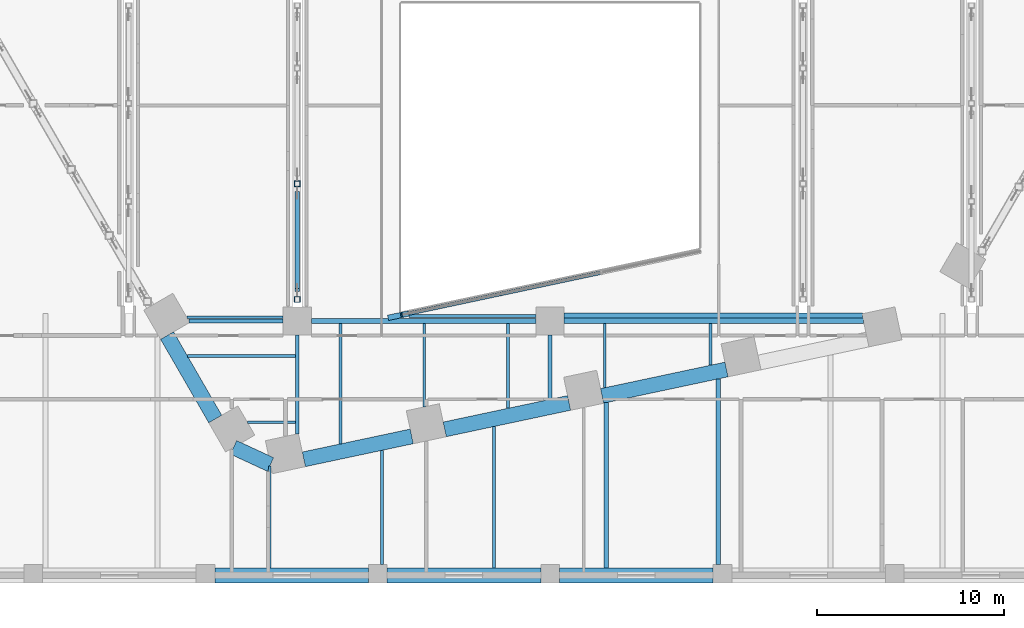
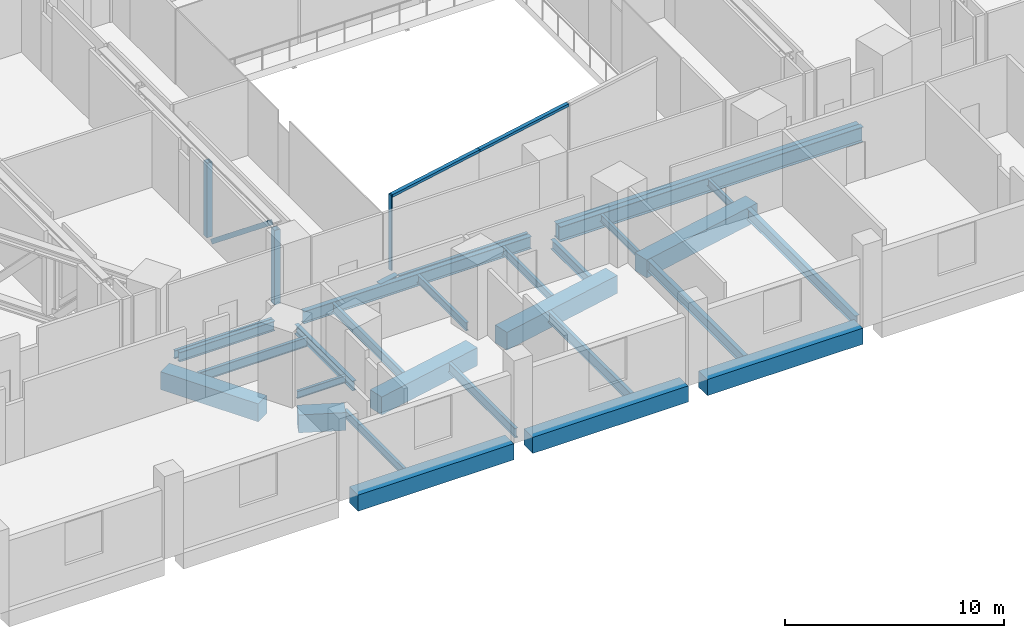
# One storey, part 3 of 32: 29 beams, 6 members, 1 element without a shape of its own.
"""IFC4 building model written with IfcOpenShell, lengths in metres."""

import ifcopenshell
import ifcopenshell.guid

model = None  # the IFC model being written
_history = None  # IfcOwnerHistory: only IFC2X3 demands one
_inside = {}  # id of a spatial element -> (the spatial element, [elements in it])
_under = {}  # id of a project, library or spatial element -> (it, [spatial elements below it])
_declared = {}  # id of a project -> (the project, [libraries it declares])
_typed = {}  # id of a type object -> (the type object, [elements of that type])
_made_of = {}  # id of a material, layer set ... -> (it, [elements and type objects made of it])


def new_model(schema):
    """Start an empty IFC model of exactly this schema.

    Asked for "IFC4X3", IfcOpenShell would pick the latest addendum, in which some entities
    have other attributes; the version numbers below select the first issue.
    IFC2X3 requires an IfcOwnerHistory on every rooted entity: one is made here for all.
    """
    global model, _history
    if schema == "IFC4X3":
        model = ifcopenshell.file(schema_version=(4, 3, 0, 0))
    else:
        model = ifcopenshell.file(schema=schema)
    _inside.clear()
    _under.clear()
    _declared.clear()
    _typed.clear()
    _made_of.clear()
    _history = None
    if model.schema == "IFC2X3":
        org = make("IfcOrganization", Name="unknown")
        user = make(
            "IfcPersonAndOrganization",
            ThePerson=make("IfcPerson", FamilyName="unknown"),
            TheOrganization=org,
        )
        app = make(
            "IfcApplication",
            ApplicationDeveloper=org,
            Version="unknown",
            ApplicationFullName="unknown",
            ApplicationIdentifier="unknown",
        )
        _history = make(
            "IfcOwnerHistory",
            OwningUser=user,
            OwningApplication=app,
            ChangeAction="ADDED",
            CreationDate=0,
        )
    return model


def make(cls, **values):
    """One entity of the class cls with the attributes given. An attribute that is None is left unset."""
    return model.create_entity(
        cls, **{name: value for name, value in values.items() if value is not None}
    )


def rooted(cls, **values):
    """An entity with a GlobalId (a new one), such as an element, a storey or a relation."""
    return make(cls, GlobalId=ifcopenshell.guid.new(), OwnerHistory=_history, **values)


def si_unit(unit_type, name, prefix=None):
    """IfcSIUnit, for example si_unit("LENGTHUNIT", "METRE", prefix="MILLI")."""
    return make("IfcSIUnit", UnitType=unit_type, Prefix=prefix, Name=name)


def assignment(units):
    """IfcUnitAssignment: the units of a project."""
    return None if units is None else make("IfcUnitAssignment", Units=units)


def point(xyz):
    """IfcCartesianPoint."""
    return None if xyz is None else make("IfcCartesianPoint", Coordinates=xyz)


def direction(xyz):
    """IfcDirection."""
    return None if xyz is None else make("IfcDirection", DirectionRatios=xyz)


def frame(location, z_axis=None, x_axis=None):
    """IfcAxis2Placement3D, a coordinate frame: its origin and axes. An axis left out is left unset."""
    return make(
        "IfcAxis2Placement3D",
        Location=point(location),
        Axis=direction(z_axis),
        RefDirection=direction(x_axis),
    )


def frame_2d(location, x_axis=None):
    """IfcAxis2Placement2D, a coordinate frame in the plane: its origin and x axis."""
    return make(
        "IfcAxis2Placement2D", Location=point(location), RefDirection=direction(x_axis)
    )


def origin():
    """The frame at (0, 0, 0) with its axes left unset."""
    return frame((0.0, 0.0, 0.0))


def origin_2d():
    """The frame at (0, 0) in the plane with its x axis left unset."""
    return frame_2d((0.0, 0.0))


def place(relative_to, where):
    """IfcLocalPlacement: puts the frame where relative to a parent placement (None: the world)."""
    return make(
        "IfcLocalPlacement", PlacementRelTo=relative_to, RelativePlacement=where
    )


def context(
    kind, dimensions, precision=None, world=None, true_north=None, identifier=None
):
    """IfcGeometricRepresentationContext, for example the 3D "Model" context."""
    return make(
        "IfcGeometricRepresentationContext",
        ContextIdentifier=identifier,
        ContextType=kind,
        CoordinateSpaceDimension=dimensions,
        Precision=precision,
        WorldCoordinateSystem=world,
        TrueNorth=true_north,
    )


def subcontext(parent, identifier, kind, view, scale=None):
    """IfcGeometricRepresentationSubContext, for example "Body" below "Model"."""
    return make(
        "IfcGeometricRepresentationSubContext",
        ContextIdentifier=identifier,
        ContextType=kind,
        ParentContext=parent,
        TargetScale=scale,
        TargetView=view,
    )


def project(units=None, contexts=None):
    """IfcProject with its units and contexts."""
    return rooted(
        "IfcProject",
        Name="project",
        RepresentationContexts=contexts,
        UnitsInContext=assignment(units),
    )


def spatial(cls, under=None, at=None, **own):
    """A site, building, storey or space (cls), placed at a placement, below another one or the project."""
    s = rooted(cls, ObjectPlacement=at, **own)
    if under is not None:
        _under.setdefault(under.id(), (under, []))[1].append(s)
    return s


def profile(cls, at=None, kind="AREA", **sizes):
    """A parametric profile (cls). Its sizes go by their IFC names, for example OverallWidth=200.0."""
    return make(cls, ProfileType=kind, Position=at, **sizes)


def rectangle(**sizes):
    """IfcRectangleProfileDef."""
    return profile("IfcRectangleProfileDef", **sizes)


def hollow_rectangle(**sizes):
    """IfcRectangleHollowProfileDef."""
    return profile("IfcRectangleHollowProfileDef", **sizes)


def i_section(**sizes):
    """IfcIShapeProfileDef."""
    return profile("IfcIShapeProfileDef", **sizes)


def extrude(swept, where, along, depth):
    """IfcExtrudedAreaSolid: the profile swept, set in the frame where, extruded along a direction by depth."""
    return make(
        "IfcExtrudedAreaSolid",
        SweptArea=swept,
        Position=where,
        ExtrudedDirection=direction(along),
        Depth=depth,
    )


def shape(context_of_items, identifier, shape_type, items):
    """IfcShapeRepresentation: the items that make up one representation, for example the "Body"."""
    return make(
        "IfcShapeRepresentation",
        ContextOfItems=context_of_items,
        RepresentationIdentifier=identifier,
        RepresentationType=shape_type,
        Items=items,
    )


def material(Name=None, Category=None):
    """IfcMaterial."""
    return make("IfcMaterial", Name=Name, Category=Category)


def layer(
    of_material, thickness, ventilated=None, Name=None, Category=None, Priority=None
):
    """IfcMaterialLayer: one layer of a wall or slab, of a material (None: an air gap)."""
    return make(
        "IfcMaterialLayer",
        Material=of_material,
        LayerThickness=thickness,
        IsVentilated=ventilated,
        Name=Name,
        Category=Category,
        Priority=Priority,
    )


def layer_set(layers, Name=None):
    """IfcMaterialLayerSet."""
    return make("IfcMaterialLayerSet", MaterialLayers=layers, LayerSetName=Name)


def material_profile(
    of_material, cross_section, Name=None, Category=None, Priority=None
):
    """IfcMaterialProfile: a cross section and its material."""
    return make(
        "IfcMaterialProfile",
        Name=Name,
        Material=of_material,
        Profile=cross_section,
        Priority=Priority,
        Category=Category,
    )


def profile_set(profiles, Name=None, composite=None):
    """IfcMaterialProfileSet."""
    return make(
        "IfcMaterialProfileSet",
        Name=Name,
        MaterialProfiles=profiles,
        CompositeProfile=composite,
    )


def made_of(thing, what):
    """Note that an element or type object is made of a material, layer set ...; save() writes the relation."""
    if what is not None:
        _made_of.setdefault(what.id(), (what, []))[1].append(thing)
    return thing


def type_object(cls, material=None, **own):
    """A type object (cls), such as IfcWallType, which elements share."""
    return made_of(rooted(cls, **own), material)


def element(
    cls,
    number,
    at=None,
    inside=None,
    cuts=None,
    type_object=None,
    material=None,
    context=None,
    identifier="Body",
    shape_type=None,
    held_by="IfcProductDefinitionShape",
    body=None,
    shapes=None,
    **own,
):
    """One element of the class cls, such as IfcWall. Its Tag is "e" and its number.

    at: its placement. inside: the storey or other place that contains it. cuts: it is an
    opening in that element (IfcRelVoidsElement). A single representation is given by context,
    identifier, shape_type and body (its items); several are given by shapes. held_by: the class
    of the entity that holds the representations. save() writes the other relations.
    """
    e = rooted(cls, Tag="e%d" % number, ObjectPlacement=at, **own)
    if body is not None:
        shapes = [shape(context, identifier, shape_type, body)]
    if shapes is not None:
        e.Representation = make(held_by, Representations=shapes)
    if inside is not None:
        _inside.setdefault(inside.id(), (inside, []))[1].append(e)
    if cuts is not None:
        rooted(
            "IfcRelVoidsElement", RelatingBuildingElement=cuts, RelatedOpeningElement=e
        )
    if type_object is not None:
        _typed.setdefault(type_object.id(), (type_object, []))[1].append(e)
    return made_of(e, material)


def aggregate(whole, parts):
    """IfcRelAggregates: a whole, such as a stair, and the parts it consists of."""
    return rooted("IfcRelAggregates", RelatingObject=whole, RelatedObjects=parts)


def save(model, path):
    """Write the relations noted so far, then the file.

    IfcRelAggregates (storeys below a building ...), IfcRelContainedInSpatialStructure (elements
    in a storey), IfcRelDefinesByType, IfcRelAssociatesMaterial and IfcRelDeclares: one each for
    every whole, place, type object, material and project.
    """
    for whole, parts in _under.values():
        aggregate(whole, parts)
    for where, things in _inside.values():
        rooted(
            "IfcRelContainedInSpatialStructure",
            RelatedElements=things,
            RelatingStructure=where,
        )
    for kind, things in _typed.values():
        rooted("IfcRelDefinesByType", RelatedObjects=things, RelatingType=kind)
    for what, things in _made_of.values():
        rooted("IfcRelAssociatesMaterial", RelatedObjects=things, RelatingMaterial=what)
    for by, libraries in _declared.values():
        rooted("IfcRelDeclares", RelatingContext=by, RelatedDefinitions=libraries)
    model.write(path)


model = new_model("IFC4")

# Units and contexts
model_context = context("Model", 3, precision=1e-05, world=origin(), true_north=direction((0.0, 1.0)))
body_context = subcontext(model_context, "Body", "Model", "MODEL_VIEW")
ifc_project = project(units=[si_unit("LENGTHUNIT", "METRE"), si_unit("AREAUNIT", "SQUARE_METRE"), si_unit("VOLUMEUNIT", "CUBIC_METRE"), si_unit("PLANEANGLEUNIT", "RADIAN"), si_unit("MASSUNIT", "GRAM", prefix="KILO")], contexts=[model_context])

# Site, building, storey
site_placement = place(None, origin())
site = spatial("IfcSite", under=ifc_project, at=site_placement, CompositionType="ELEMENT")
building_placement = place(site_placement, origin())
building = spatial("IfcBuilding", under=site, at=building_placement, Name="Isthmus Gate Tower", CompositionType="ELEMENT")
storey_placement = place(building_placement, frame((0.0, 0.0, 18.0)))
storey = spatial("IfcBuildingStorey", under=building, at=storey_placement, Name="L02", CompositionType="ELEMENT", Elevation=18.0)

# Curtain wall, members
ifc_material_1 = material(Name="Aluminium, pale champagne anodised", Category="aluminium")
ifc_layer = layer(ifc_material_1, 0.199951171875)
ifc_layer_set = layer_set([ifc_layer], Name="CW-4 ATRIUM CURTAIN WALL 200 DEEP")
curtain_wall_type = type_object("IfcCurtainWallType", Name="CW-4 ATRIUM CURTAIN WALL 200 DEEP", PredefinedType="NOTDEFINED", material=ifc_layer_set)
curtain_wall_placement = place(storey_placement, origin())
curtain_wall = element("IfcCurtainWall", 1, at=curtain_wall_placement, inside=storey, type_object=curtain_wall_type, Name="CW-4 atrium south L02", PredefinedType="NOTDEFINED")
ifc_material_2 = material(Name="Aluminium, pale champagne anodised", Category="aluminium")
ifc_material_profile_1 = material_profile(ifc_material_2, rectangle(XDim=0.080078125, YDim=0.199951171875, at=origin_2d()), Name="80x200")
ifc_profile_set_1 = profile_set([ifc_material_profile_1], Name="Aluminium, pale champagne anodised")
member_type_1 = type_object("IfcMemberType", Name="CW-4 MULLION 80 X 200", PredefinedType="MULLION", material=ifc_profile_set_1)
member_1_placement = place(storey_placement, frame((-7.9296875, -26.682373046875, 0.0), z_axis=(0.0, 0.0, 1.0), x_axis=(0.978147600734, 0.207911690818, 0.0)))
member_1 = element("IfcMember", 2, at=member_1_placement, type_object=member_type_1, Name="CW-4 mullion", PredefinedType="MULLION", context=body_context, shape_type="SweptSolid", body=[
    extrude(rectangle(XDim=0.080078125, YDim=0.199951171875, at=origin_2d()), origin(), (0.0, 0.0, 1.0), 4.199951171875),
])
ifc_material_3 = material(Name="Aluminium, pale champagne anodised", Category="aluminium")
ifc_material_profile_2 = material_profile(ifc_material_3, rectangle(XDim=0.199951171875, YDim=0.14990234375, at=origin_2d()), Name="200x150")
ifc_profile_set_2 = profile_set([ifc_material_profile_2], Name="Aluminium, pale champagne anodised")
member_type_2 = type_object("IfcMemberType", Name="CW-4 TRANSOM 200 X 150", PredefinedType="USERDEFINED", material=ifc_profile_set_2)
member_2_placement = place(storey_placement, frame((-7.890625, -26.674072265625, 4.125), z_axis=(0.978150188204, 0.207899517354, 0.0), x_axis=(-0.207899517354, 0.978150188204, 0.0)))
member_2 = element("IfcMember", 3, at=member_2_placement, type_object=member_type_2, Name="CW-4 transom", ObjectType="TRANSOM", PredefinedType="USERDEFINED", context=body_context, shape_type="SweptSolid", body=[
    extrude(rectangle(XDim=0.199951171875, YDim=0.14990234375, at=origin_2d()), origin(), (0.0, 0.0, 1.0), 5.37255859375),
])
member_3_placement = place(storey_placement, frame((-2.635498046875, -25.55712890625, 4.125), z_axis=(0.978150315113, 0.207898920259, 0.0), x_axis=(-0.207898920259, 0.978150315113, 0.0)))
member_3 = element("IfcMember", 4, at=member_3_placement, type_object=member_type_2, Name="CW-4 transom", ObjectType="TRANSOM", PredefinedType="USERDEFINED", context=body_context, shape_type="SweptSolid", body=[
    extrude(rectangle(XDim=0.199951171875, YDim=0.14990234375, at=origin_2d()), origin(), (0.0, 0.0, 1.0), 5.452392578125),
])
aggregate(curtain_wall, [member_1, member_2, member_3])

# Beams
ifc_material_4 = material(Name="Concrete f'c 70 MPa", Category="concrete")
ifc_material_profile_3 = material_profile(ifc_material_4, rectangle(XDim=0.800048828125, YDim=0.89990234375, at=origin_2d()), Name="RC 800X900")
ifc_profile_set_3 = profile_set([ifc_material_profile_3], Name="Concrete f'c 70 MPa")
beam_type_1 = type_object("IfcBeamType", Name="RC EDGE BEAM 800 X 900", PredefinedType="BEAM", material=ifc_profile_set_3)
for number, where, z_axis, x_axis, name in (
    (5, (8.699951171875, -40.60009765625, -0.85009765625), (-1.0, 0.0, 0.0), (0.0, -1.0, 0.0), "str-edgebeam-L02-32"),
    (6, (-0.5, -40.60009765625, -0.85009765625), (-1.0, 0.0, 0.0), (0.0, -1.0, 0.0), "str-edgebeam-L02-33"),
    (7, (-9.699951171875, -40.60009765625, -0.85009765625), (-1.0, 0.0, 0.0), (0.0, -1.0, 0.0), "str-edgebeam-L02-34"),
):
    element("IfcBeam", number, at=place(storey_placement, frame(where, z_axis=z_axis, x_axis=x_axis)), inside=storey, type_object=beam_type_1, Name=name, PredefinedType="BEAM", context=body_context, shape_type="SweptSolid", body=[
        extrude(rectangle(XDim=0.800048828125, YDim=0.89990234375, at=origin_2d()), origin(), (0.0, 0.0, 1.0), 8.199951171875),
    ])
ifc_material_5 = material(Name="Concrete f'c 70 MPa", Category="concrete")
ifc_material_profile_4 = material_profile(ifc_material_5, rectangle(XDim=0.800048828125, YDim=1.0, at=origin_2d()), Name="RC 800X1000")
ifc_profile_set_4 = profile_set([ifc_material_profile_4], Name="Concrete f'c 70 MPa")
beam_type_2 = type_object("IfcBeamType", Name="RC TUBE RING BEAM 800 X 1000", PredefinedType="BEAM", material=ifc_profile_set_4)
for number, where, z_axis, x_axis, name in (
    (8, (9.415771484375, -29.589599609375, -0.89990234375), (-0.978145779981, -0.207920256603, 0.0), (0.207920256603, -0.978145779981, 0.0), "str-ringbeam-L02-09"),
    (9, (1.01416015625, -31.37548828125, -0.89990234375), (-0.978145779981, -0.207920256603, 0.0), (0.207920256603, -0.978145779981, 0.0), "str-ringbeam-L02-10"),
):
    element("IfcBeam", number, at=place(storey_placement, frame(where, z_axis=z_axis, x_axis=x_axis)), inside=storey, type_object=beam_type_2, Name=name, PredefinedType="BEAM", context=body_context, shape_type="SweptSolid", body=[
        extrude(rectangle(XDim=0.800048828125, YDim=1.0, at=origin_2d()), origin(), (0.0, 0.0, 1.0), 6.789306640625),
    ])
beam_1_placement = place(storey_placement, frame((-7.387451171875, -33.161376953125, -0.89990234375), z_axis=(-0.978149894464, -0.207900899374, 0.0), x_axis=(0.207900899374, -0.978149894464, 0.0)))
element("IfcBeam", 10, at=beam_1_placement, inside=storey, type_object=beam_type_2, Name="str-ringbeam-L02-11", PredefinedType="BEAM", context=body_context, shape_type="SweptSolid", body=[
    extrude(rectangle(XDim=0.800048828125, YDim=1.0, at=origin_2d()), origin(), (0.0, 0.0, 1.0), 5.88916015625),
])
beam_2_placement = place(storey_placement, frame((-14.929443359375, -34.662109375, -0.89990234375), z_axis=(-0.907290744498, 0.420503870314, 0.0), x_axis=(-0.420503870314, -0.907290744498, 0.0)))
element("IfcBeam", 11, at=beam_2_placement, inside=storey, type_object=beam_type_2, Name="str-ringbeam-L02-12", PredefinedType="BEAM", context=body_context, shape_type="SweptSolid", body=[
    extrude(rectangle(XDim=0.800048828125, YDim=1.0, at=origin_2d()), origin(), (0.0, 0.0, 1.0), 2.173095703125),
])
beam_3_placement = place(storey_placement, frame((-17.878173828125, -32.23388671875, -0.89990234375), z_axis=(-0.500044296292, 0.865999827798, 0.0), x_axis=(-0.865999827798, -0.500044296292, 0.0)))
element("IfcBeam", 12, at=beam_3_placement, inside=storey, type_object=beam_type_2, Name="str-ringbeam-L02-13", PredefinedType="BEAM", context=body_context, shape_type="SweptSolid", body=[
    extrude(rectangle(XDim=0.800048828125, YDim=1.0, at=origin_2d()), origin(), (0.0, 0.0, 1.0), 5.1435546875),
])
ifc_material_6 = material(Name="Structural steel ASTM A992 Gr 50", Category="steel")
ifc_material_profile_5 = material_profile(ifc_material_6, i_section(OverallWidth=0.1396484375, OverallDepth=0.4033203125, WebThickness=0.00634765625, FlangeThickness=0.010986328125, at=origin_2d()), Name="W16X31")
ifc_profile_set_5 = profile_set([ifc_material_profile_5], Name="Structural steel ASTM A992 Gr 50")
beam_type_3 = type_object("IfcBeamType", Name="STEEL FLOOR BEAM W16X31", PredefinedType="JOIST", material=ifc_profile_set_5)
beam_4_placement = place(storey_placement, frame((-16.162353515625, -32.406005859375, -0.6015625), z_axis=(1.0, 0.0, 0.0), x_axis=(0.0, 1.0, 0.0)))
element("IfcBeam", 13, at=beam_4_placement, inside=storey, type_object=beam_type_3, Name="str-beam-L02-11-00", PredefinedType="JOIST", context=body_context, shape_type="SweptSolid", body=[
    extrude(i_section(OverallWidth=0.1396484375, OverallDepth=0.4033203125, WebThickness=0.00634765625, FlangeThickness=0.010986328125, at=origin_2d()), origin(), (0.0, 0.0, 1.0), 2.5576171875),
])
beam_5_placement = place(storey_placement, frame((2.924072265625, -30.560546875, -0.6015625), z_axis=(0.0, 1.0, 0.0), x_axis=(-1.0, 0.0, 0.0)))
element("IfcBeam", 14, at=beam_5_placement, inside=storey, type_object=beam_type_3, Name="str-beam-L02-20-00", PredefinedType="JOIST", context=body_context, shape_type="SweptSolid", body=[
    extrude(i_section(OverallWidth=0.1396484375, OverallDepth=0.4033203125, WebThickness=0.00634765625, FlangeThickness=0.010986328125, at=origin_2d()), origin(), (0.0, 0.0, 1.0), 3.41455078125),
])
beam_6_placement = place(storey_placement, frame((8.5625, -29.362060546875, -0.6015625), z_axis=(0.0, 1.0, 0.0), x_axis=(-1.0, 0.0, 0.0)))
element("IfcBeam", 15, at=beam_6_placement, inside=storey, type_object=beam_type_3, Name="str-beam-L02-20-01", PredefinedType="JOIST", context=body_context, shape_type="SweptSolid", body=[
    extrude(i_section(OverallWidth=0.1396484375, OverallDepth=0.4033203125, WebThickness=0.00634765625, FlangeThickness=0.010986328125, at=origin_2d()), origin(), (0.0, 0.0, 1.0), 2.216064453125),
])
ifc_material_7 = material(Name="Structural steel ASTM A992 Gr 50", Category="steel")
ifc_material_profile_6 = material_profile(ifc_material_7, i_section(OverallWidth=0.15234375, OverallDepth=0.45068359375, WebThickness=0.0078125, FlangeThickness=0.010986328125, at=origin_2d()), Name="W18X35")
ifc_profile_set_6 = profile_set([ifc_material_profile_6], Name="Structural steel ASTM A992 Gr 50")
beam_type_4 = type_object("IfcBeamType", Name="STEEL FLOOR BEAM W18X35", PredefinedType="JOIST", material=ifc_profile_set_6)
beam_7_placement = place(storey_placement, frame((-19.39892578125, -26.800048828125, -0.62548828125), z_axis=(1.0, 0.0, 0.0), x_axis=(0.0, 1.0, 0.0)))
element("IfcBeam", 16, at=beam_7_placement, inside=storey, type_object=beam_type_4, Name="str-beam-L02-10-00", PredefinedType="JOIST", context=body_context, shape_type="SweptSolid", body=[
    extrude(i_section(OverallWidth=0.15234375, OverallDepth=0.45068359375, WebThickness=0.0078125, FlangeThickness=0.010986328125, at=origin_2d()), origin(), (0.0, 0.0, 1.0), 5.14892578125),
])
beam_8_placement = place(storey_placement, frame((-6.71826171875, -31.587890625, -0.62548828125), z_axis=(0.0, 1.0, 0.0), x_axis=(-1.0, 0.0, 0.0)))
element("IfcBeam", 17, at=beam_8_placement, inside=storey, type_object=beam_type_4, Name="str-beam-L02-13-01", PredefinedType="JOIST", context=body_context, shape_type="SweptSolid", body=[
    extrude(i_section(OverallWidth=0.15234375, OverallDepth=0.45068359375, WebThickness=0.0078125, FlangeThickness=0.010986328125, at=origin_2d()), origin(), (0.0, 0.0, 1.0), 4.4609375),
])
beam_9_placement = place(storey_placement, frame((-2.239501953125, -31.658203125, -0.62548828125), z_axis=(0.0, 1.0, 0.0), x_axis=(-1.0, 0.0, 0.0)))
element("IfcBeam", 18, at=beam_9_placement, inside=storey, type_object=beam_type_4, Name="str-beam-L02-13-02", PredefinedType="JOIST", context=body_context, shape_type="SweptSolid", body=[
    extrude(i_section(OverallWidth=0.15234375, OverallDepth=0.45068359375, WebThickness=0.0078125, FlangeThickness=0.010986328125, at=origin_2d()), origin(), (0.0, 0.0, 1.0), 4.53125),
])
beam_10_placement = place(storey_placement, frame((-14.96728515625, -40.199951171875, -0.62548828125), z_axis=(0.0, 1.0, 0.0), x_axis=(-1.0, 0.0, 0.0)))
element("IfcBeam", 19, at=beam_10_placement, inside=storey, type_object=beam_type_4, Name="str-beam-L02-19-05", PredefinedType="JOIST", context=body_context, shape_type="SweptSolid", body=[
    extrude(i_section(OverallWidth=0.15234375, OverallDepth=0.45068359375, WebThickness=0.0078125, FlangeThickness=0.010986328125, at=origin_2d()), origin(), (0.0, 0.0, 1.0), 5.456298828125),
])
ifc_material_8 = material(Name="Structural steel ASTM A992 Gr 50", Category="steel")
ifc_material_profile_7 = material_profile(ifc_material_8, i_section(OverallWidth=0.1650390625, OverallDepth=0.52392578125, WebThickness=0.009521484375, FlangeThickness=0.010986328125, at=origin_2d()), Name="W21X44")
ifc_profile_set_7 = profile_set([ifc_material_profile_7], Name="Structural steel ASTM A992 Gr 50")
beam_type_5 = type_object("IfcBeamType", Name="STEEL FLOOR BEAM W21X44", PredefinedType="JOIST", material=ifc_profile_set_7)
beam_11_placement = place(storey_placement, frame((-19.357421875, -28.871826171875, -0.661865234375), z_axis=(1.0, 0.0, 0.0), x_axis=(0.0, 1.0, 0.0)))
element("IfcBeam", 20, at=beam_11_placement, inside=storey, type_object=beam_type_5, Name="str-beam-L02-11-01", PredefinedType="JOIST", context=body_context, shape_type="SweptSolid", body=[
    extrude(i_section(OverallWidth=0.1650390625, OverallDepth=0.52392578125, WebThickness=0.009521484375, FlangeThickness=0.010986328125, at=origin_2d()), origin(), (0.0, 0.0, 1.0), 5.752685546875),
])
beam_12_placement = place(storey_placement, frame((-11.197021484375, -33.56201171875, -0.661865234375), z_axis=(0.0, 1.0, 0.0), x_axis=(-1.0, 0.0, 0.0)))
element("IfcBeam", 21, at=beam_12_placement, inside=storey, type_object=beam_type_5, Name="str-beam-L02-13-00", PredefinedType="JOIST", context=body_context, shape_type="SweptSolid", body=[
    extrude(i_section(OverallWidth=0.1650390625, OverallDepth=0.52392578125, WebThickness=0.009521484375, FlangeThickness=0.010986328125, at=origin_2d()), origin(), (0.0, 0.0, 1.0), 6.43505859375),
])
beam_13_placement = place(storey_placement, frame((-7.53173828125, -26.736572265625, -0.661865234375), z_axis=(1.0, 0.0, 0.0), x_axis=(0.0, 1.0, 0.0)))
element("IfcBeam", 22, at=beam_13_placement, inside=storey, type_object=beam_type_5, Name="str-beam-L02-16-00", PredefinedType="JOIST", context=body_context, shape_type="SweptSolid", body=[
    extrude(i_section(OverallWidth=0.1650390625, OverallDepth=0.52392578125, WebThickness=0.009521484375, FlangeThickness=0.010986328125, at=origin_2d()), origin(), (0.0, 0.0, 1.0), 6.78173828125),
])
beam_14_placement = place(storey_placement, frame((-8.98046875, -40.0, -0.661865234375), z_axis=(0.0, 1.0, 0.0), x_axis=(-1.0, 0.0, 0.0)))
element("IfcBeam", 23, at=beam_14_placement, inside=storey, type_object=beam_type_5, Name="str-beam-L02-19-06", PredefinedType="JOIST", context=body_context, shape_type="SweptSolid", body=[
    extrude(i_section(OverallWidth=0.1650390625, OverallDepth=0.52392578125, WebThickness=0.009521484375, FlangeThickness=0.010986328125, at=origin_2d()), origin(), (0.0, 0.0, 1.0), 6.091064453125),
])
ifc_material_9 = material(Name="Structural steel ASTM A992 Gr 50", Category="steel")
ifc_material_profile_8 = material_profile(ifc_material_9, i_section(OverallWidth=0.177734375, OverallDepth=0.60009765625, WebThickness=0.009521484375, FlangeThickness=0.0126953125, at=origin_2d()), Name="W24X55")
ifc_profile_set_8 = profile_set([ifc_material_profile_8], Name="Structural steel ASTM A992 Gr 50")
beam_type_6 = type_object("IfcBeamType", Name="STEEL FLOOR BEAM W24X55", PredefinedType="JOIST", material=ifc_profile_set_8)
beam_15_placement = place(storey_placement, frame((-2.993408203125, -40.199951171875, -0.699951171875), z_axis=(0.0, 1.0, 0.0), x_axis=(-1.0, 0.0, 0.0)))
element("IfcBeam", 24, at=beam_15_placement, inside=storey, type_object=beam_type_6, Name="str-beam-L02-19-07", PredefinedType="JOIST", context=body_context, shape_type="SweptSolid", body=[
    extrude(i_section(OverallWidth=0.177734375, OverallDepth=0.60009765625, WebThickness=0.009521484375, FlangeThickness=0.0126953125, at=origin_2d()), origin(), (0.0, 0.0, 1.0), 7.563720703125),
])
ifc_material_10 = material(Name="Structural steel ASTM A992 Gr 50", Category="steel")
ifc_material_profile_9 = material_profile(ifc_material_10, i_section(OverallWidth=0.228515625, OverallDepth=0.603271484375, WebThickness=0.010986328125, FlangeThickness=0.014404296875, at=origin_2d()), Name="W24X68")
ifc_profile_set_9 = profile_set([ifc_material_profile_9], Name="Structural steel ASTM A992 Gr 50")
beam_type_7 = type_object("IfcBeamType", Name="STEEL FLOOR BEAM W24X68", PredefinedType="JOIST", material=ifc_profile_set_9)
beam_16_placement = place(storey_placement, frame((2.993408203125, -40.199951171875, -0.70166015625), z_axis=(0.0, 1.0, 0.0), x_axis=(-1.0, 0.0, 0.0)))
element("IfcBeam", 25, at=beam_16_placement, inside=storey, type_object=beam_type_7, Name="str-beam-L02-19-08", PredefinedType="JOIST", context=body_context, shape_type="SweptSolid", body=[
    extrude(i_section(OverallWidth=0.228515625, OverallDepth=0.603271484375, WebThickness=0.010986328125, FlangeThickness=0.014404296875, at=origin_2d()), origin(), (0.0, 0.0, 1.0), 8.836181640625),
])
beam_17_placement = place(storey_placement, frame((8.98046875, -40.0, -0.70166015625), z_axis=(0.0, 1.0, 0.0), x_axis=(-1.0, 0.0, 0.0)))
element("IfcBeam", 26, at=beam_17_placement, inside=storey, type_object=beam_type_7, Name="str-beam-L02-19-09", PredefinedType="JOIST", context=body_context, shape_type="SweptSolid", body=[
    extrude(i_section(OverallWidth=0.228515625, OverallDepth=0.603271484375, WebThickness=0.010986328125, FlangeThickness=0.014404296875, at=origin_2d()), origin(), (0.0, 0.0, 1.0), 9.908935546875),
])
ifc_material_11 = material(Name="Structural steel ASTM A992 Gr 50", Category="steel")
ifc_material_profile_10 = material_profile(ifc_material_11, i_section(OverallWidth=0.2919921875, OverallDepth=0.8349609375, WebThickness=0.014404296875, FlangeThickness=0.01904296875, at=origin_2d()), Name="W33X118")
ifc_profile_set_10 = profile_set([ifc_material_profile_10], Name="Structural steel ASTM A992 Gr 50")
beam_type_8 = type_object("IfcBeamType", Name="STEEL FLOOR BEAM W33X118", PredefinedType="JOIST", material=ifc_profile_set_10)
beam_18_placement = place(storey_placement, frame((0.75, -26.72705078125, -0.8173828125), z_axis=(1.0, 0.0, 0.0), x_axis=(0.0, 1.0, 0.0)))
element("IfcBeam", 27, at=beam_18_placement, inside=storey, type_object=beam_type_8, Name="str-beam-L02-23-00", PredefinedType="JOIST", context=body_context, shape_type="SweptSolid", body=[
    extrude(i_section(OverallWidth=0.2919921875, OverallDepth=0.8349609375, WebThickness=0.014404296875, FlangeThickness=0.01904296875, at=origin_2d()), origin(), (0.0, 0.0, 1.0), 15.91845703125),
])
ifc_material_12 = material(Name="Structural steel ASTM A992 Gr 50", Category="steel")
ifc_material_profile_11 = material_profile(ifc_material_12, i_section(OverallWidth=0.20947265625, OverallDepth=0.533447265625, WebThickness=0.009521484375, FlangeThickness=0.015869140625, at=origin_2d()), Name="W21X62")
ifc_profile_set_11 = profile_set([ifc_material_profile_11], Name="Structural steel ASTM A992 Gr 50")
beam_type_9 = type_object("IfcBeamType", Name="STEEL GIRDER W21X62", PredefinedType="BEAM", material=ifc_profile_set_11)
beam_19_placement = place(storey_placement, frame((-19.283447265625, -27.0, -0.666748046875), z_axis=(1.0, 0.0, 0.0), x_axis=(0.0, 1.0, 0.0)))
element("IfcBeam", 28, at=beam_19_placement, inside=storey, type_object=beam_type_9, Name="str-girder-L02-01", PredefinedType="BEAM", context=body_context, shape_type="SweptSolid", body=[
    extrude(i_section(OverallWidth=0.20947265625, OverallDepth=0.533447265625, WebThickness=0.009521484375, FlangeThickness=0.015869140625, at=origin_2d()), origin(), (0.0, 0.0, 1.0), 5.033447265625),
])
beam_20_placement = place(storey_placement, frame((-13.5, -33.029296875, -0.666748046875), z_axis=(0.0, 1.0, 0.0), x_axis=(-1.0, 0.0, 0.0)))
element("IfcBeam", 29, at=beam_20_placement, inside=storey, type_object=beam_type_9, Name="str-girder-L02-18", PredefinedType="BEAM", context=body_context, shape_type="SweptSolid", body=[
    extrude(i_section(OverallWidth=0.20947265625, OverallDepth=0.533447265625, WebThickness=0.009521484375, FlangeThickness=0.015869140625, at=origin_2d()), origin(), (0.0, 0.0, 1.0), 5.279296875),
])
beam_21_placement = place(storey_placement, frame((0.0, -31.18212890625, -0.666748046875), z_axis=(0.0, 1.0, 0.0), x_axis=(-1.0, 0.0, 0.0)))
element("IfcBeam", 30, at=beam_21_placement, inside=storey, type_object=beam_type_9, Name="str-girder-L02-21", PredefinedType="BEAM", context=body_context, shape_type="SweptSolid", body=[
    extrude(i_section(OverallWidth=0.20947265625, OverallDepth=0.533447265625, WebThickness=0.009521484375, FlangeThickness=0.015869140625, at=origin_2d()), origin(), (0.0, 0.0, 1.0), 3.43212890625),
])
ifc_material_13 = material(Name="Structural steel ASTM A992 Gr 50", Category="steel")
ifc_material_profile_12 = material_profile(ifc_material_13, i_section(OverallWidth=0.25390625, OverallDepth=0.679443359375, WebThickness=0.010986328125, FlangeThickness=0.015869140625, at=origin_2d()), Name="W27X84")
ifc_profile_set_12 = profile_set([ifc_material_profile_12], Name="Structural steel ASTM A992 Gr 50")
beam_type_10 = type_object("IfcBeamType", Name="STEEL GIRDER W27X84", PredefinedType="BEAM", material=ifc_profile_set_12)
beam_22_placement = place(storey_placement, frame((-12.75, -27.0, -0.73974609375), z_axis=(1.0, 0.0, 0.0), x_axis=(0.0, 1.0, 0.0)))
element("IfcBeam", 31, at=beam_22_placement, inside=storey, type_object=beam_type_10, Name="str-girder-L02-02", PredefinedType="BEAM", context=body_context, shape_type="SweptSolid", body=[
    extrude(i_section(OverallWidth=0.25390625, OverallDepth=0.679443359375, WebThickness=0.010986328125, FlangeThickness=0.015869140625, at=origin_2d()), origin(), (0.0, 0.0, 1.0), 12.0),
])
ifc_material_14 = material(Name="Structural steel ASTM A992 Gr 50", Category="steel")
ifc_material_profile_13 = material_profile(ifc_material_14, i_section(OverallWidth=0.2919921875, OverallDepth=0.8349609375, WebThickness=0.014404296875, FlangeThickness=0.01904296875, at=origin_2d()), Name="W33X118")
ifc_profile_set_13 = profile_set([ifc_material_profile_13], Name="Structural steel ASTM A992 Gr 50")
beam_type_11 = type_object("IfcBeamType", Name="STEEL GIRDER W33X118", PredefinedType="BEAM", material=ifc_profile_set_13)
beam_23_placement = place(storey_placement, frame((0.75, -27.0, -0.8173828125), z_axis=(1.0, 0.0, 0.0), x_axis=(0.0, 1.0, 0.0)))
element("IfcBeam", 32, at=beam_23_placement, inside=storey, type_object=beam_type_11, Name="str-girder-L02-03", PredefinedType="BEAM", context=body_context, shape_type="SweptSolid", body=[
    extrude(i_section(OverallWidth=0.2919921875, OverallDepth=0.8349609375, WebThickness=0.014404296875, FlangeThickness=0.01904296875, at=origin_2d()), origin(), (0.0, 0.0, 1.0), 15.9765625),
])
ifc_material_15 = material(Name="Structural steel ASTM A992 Gr 50", Category="steel")
ifc_material_profile_14 = material_profile(ifc_material_15, i_section(OverallWidth=0.2919921875, OverallDepth=0.8349609375, WebThickness=0.014404296875, FlangeThickness=0.01904296875, at=origin_2d()), Name="W33X118")
ifc_profile_set_14 = profile_set([ifc_material_profile_14], Name="Structural steel ASTM A992 Gr 50")
beam_type_12 = type_object("IfcBeamType", Name="STEEL TRIMMER W33X118", PredefinedType="BEAM", material=ifc_profile_set_14)
beam_24_placement = place(storey_placement, frame((-8.654296875, -26.83251953125, -0.8173828125), z_axis=(0.9781494145, 0.207903157536, 0.0), x_axis=(-0.207903157536, 0.9781494145, 0.0)))
element("IfcBeam", 33, at=beam_24_placement, inside=storey, type_object=beam_type_12, Name="str-trimmer-L02-09", PredefinedType="BEAM", context=body_context, shape_type="SweptSolid", body=[
    extrude(i_section(OverallWidth=0.2919921875, OverallDepth=0.8349609375, WebThickness=0.014404296875, FlangeThickness=0.01904296875, at=origin_2d()), origin(), (0.0, 0.0, 1.0), 1.117919921875),
])

# Members
ifc_material_16 = material(Name="Structural steel ASTM A500 Gr C", Category="steel")
ifc_material_profile_15 = material_profile(ifc_material_16, hollow_rectangle(XDim=0.25390625, YDim=0.25390625, WallThickness=0.01171875, at=origin_2d()), Name="HSS10X10X1/2")
ifc_profile_set_15 = profile_set([ifc_material_profile_15], Name="Structural steel ASTM A500 Gr C")
member_type_3 = type_object("IfcMemberType", Name="TRANSFER TRUSS DIAGONAL HSS10X10X1/2", PredefinedType="BRACE", material=ifc_profile_set_15)
member_4_placement = place(storey_placement, frame((-13.5, -20.175048828125, -0.39990234375), z_axis=(0.0, -0.779729873753, 0.626116062705), x_axis=(1.0, 0.0, 0.0)))
element("IfcMember", 34, at=member_4_placement, inside=storey, type_object=member_type_3, Name="str-xtruss05-L02-08", PredefinedType="BRACE", context=body_context, shape_type="SweptSolid", body=[
    extrude(hollow_rectangle(XDim=0.25390625, YDim=0.25390625, WallThickness=0.01171875, at=origin_2d()), origin(), (0.0, 0.0, 1.0), 6.636962890625),
])
ifc_material_17 = material(Name="Structural steel ASTM A500 Gr C", Category="steel")
ifc_material_profile_16 = material_profile(ifc_material_17, hollow_rectangle(XDim=0.3046875, YDim=0.3046875, WallThickness=0.014892578125, at=origin_2d()), Name="HSS12X12X5/8")
ifc_profile_set_16 = profile_set([ifc_material_profile_16], Name="Structural steel ASTM A500 Gr C")
member_type_4 = type_object("IfcMemberType", Name="TRANSFER TRUSS POST HSS12X12X5/8", PredefinedType="POST", material=ifc_profile_set_16)
for number, where, z_axis, x_axis, name in (
    (35, (-13.5, -25.85009765625, -0.39990234375), (0.0, 0.0, 1.0), (1.0, 0.0, 0.0), "str-xtruss05-L02-01"),
    (36, (-13.5, -19.675048828125, -0.39990234375), (0.0, 0.0, 1.0), (1.0, 0.0, 0.0), "str-xtruss05-L02-02"),
):
    element("IfcMember", number, at=place(storey_placement, frame(where, z_axis=z_axis, x_axis=x_axis)), inside=storey, type_object=member_type_4, Name=name, PredefinedType="POST", context=body_context, shape_type="SweptSolid", body=[
        extrude(hollow_rectangle(XDim=0.3046875, YDim=0.3046875, WallThickness=0.014892578125, at=origin_2d()), origin(), (0.0, 0.0, 1.0), 4.155517578125),
    ])

save(model, "model.ifc")
